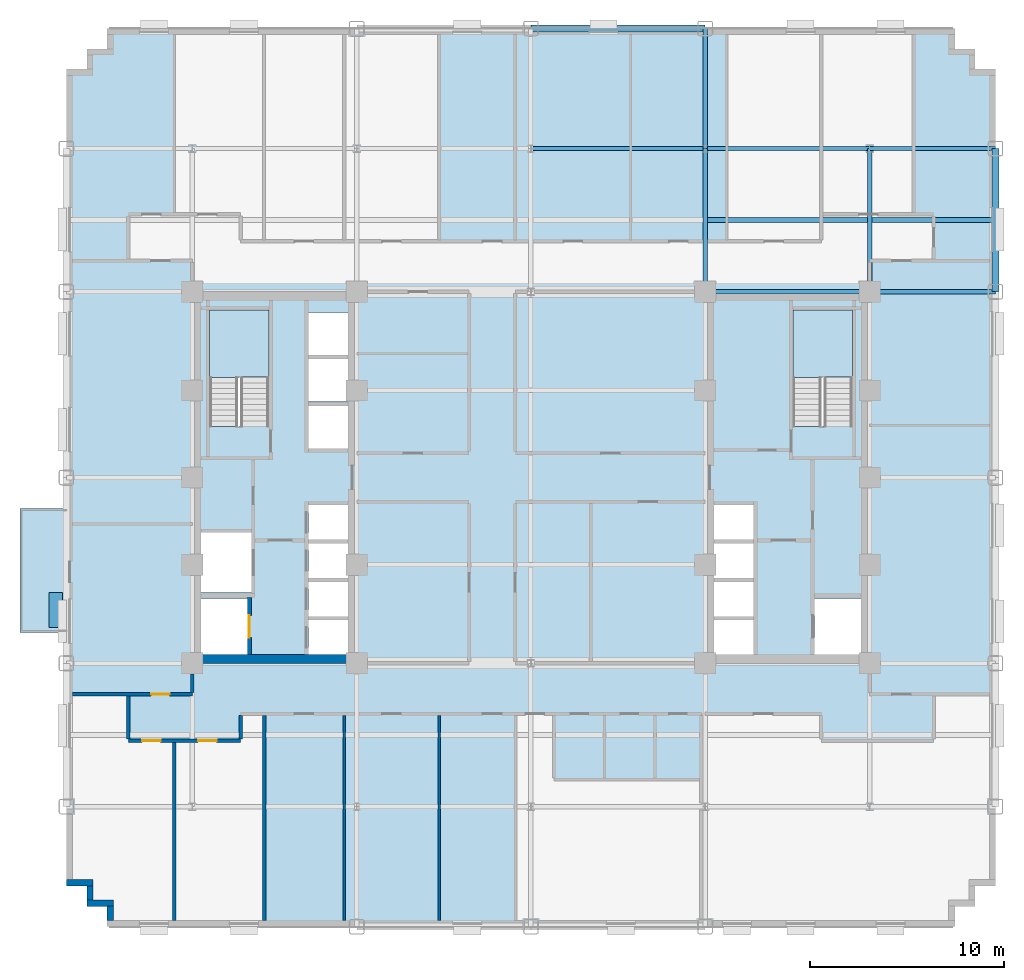
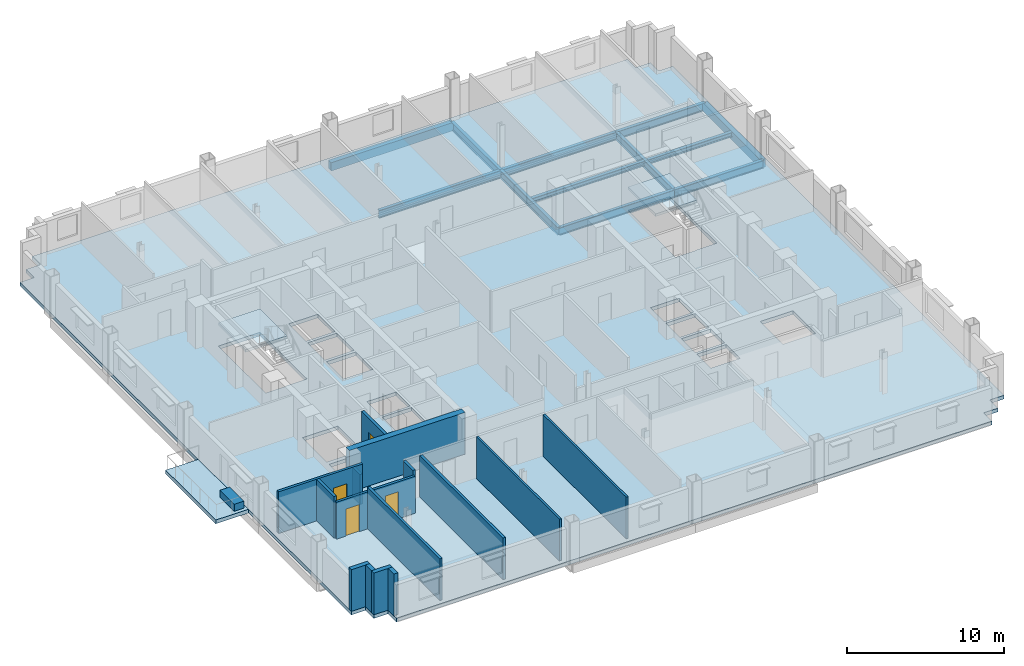
# One storey, part 5 of 14: 15 walls, 12 beams, 4 doors, 4 slabs, 1 plate, 4 openings, 2 elements without a shape of their own.
"""IFC4 building model written with IfcOpenShell, lengths in metres."""

from ifc_helpers import new_model, si_unit, direction, frame, frame_2d, origin, origin_2d, place, context, subcontext, project, spatial, polyline, rectangle, i_section, outline, extrude, source, transform, mapped, material, layer, layer_set, material_profile, profile_set, type_object, type_shapes, element, fill, aggregate, save


model = new_model("IFC4")

# Units and contexts
model_context = context("Model", 3, precision=1e-05, world=origin(), true_north=direction((0.0, 1.0)))
body_context = subcontext(model_context, "Body", "Model", "MODEL_VIEW")
ifc_project = project(units=[si_unit("LENGTHUNIT", "METRE"), si_unit("AREAUNIT", "SQUARE_METRE"), si_unit("VOLUMEUNIT", "CUBIC_METRE"), si_unit("PLANEANGLEUNIT", "RADIAN"), si_unit("MASSUNIT", "GRAM", prefix="KILO")], contexts=[model_context])

# Site, building, storey
site_placement = place(None, origin())
site = spatial("IfcSite", under=ifc_project, at=site_placement, CompositionType="ELEMENT")
building_placement = place(site_placement, origin())
building = spatial("IfcBuilding", under=site, at=building_placement, Name="Nuvemarco Arch Tower", CompositionType="ELEMENT")
storey_placement = place(building_placement, frame((0.0, 0.0, 89.64990234375)))
storey = spatial("IfcBuildingStorey", under=building, at=storey_placement, Name="L23", CompositionType="ELEMENT", Elevation=89.64990234375)

# Beams
ifc_material_1 = material(Name="Steel S355", Category="steel")
ifc_material_profile_1 = material_profile(ifc_material_1, i_section(OverallWidth=0.22998046875, OverallDepth=0.616943359375, WebThickness=0.01318359375, FlangeThickness=0.022216796875, FilletRadius=0.01611328125, at=origin_2d()), Name="W610x140")
ifc_profile_set_1 = profile_set([ifc_material_profile_1], Name="Steel S355")
beam_type_1 = type_object("IfcBeamType", Name="BM-GIRD-610", PredefinedType="BEAM", material=ifc_profile_set_1)
beam_1_placement = place(storey_placement, frame((9.0, 9.60009765625, -0.58837890625), z_axis=(0.0, 1.0, 0.0), x_axis=(-1.0, 0.0, 0.0)))
element("IfcBeam", 1, at=beam_1_placement, inside=storey, type_object=beam_type_1, Name="L23 structural beam BGNS_L23_0_+9.0_+9.6", PredefinedType="BEAM", context=body_context, shape_type="SweptSolid", body=[
    extrude(i_section(OverallWidth=0.22998046875, OverallDepth=0.616943359375, WebThickness=0.01318359375, FlangeThickness=0.022216796875, FilletRadius=0.01611328125, at=origin_2d()), origin(), (0.0, 0.0, 1.0), 7.39990234375),
])
beam_2_placement = place(storey_placement, frame((9.0, 17.0, -0.58837890625), z_axis=(0.0, 1.0, 0.0), x_axis=(-1.0, 0.0, 0.0)))
element("IfcBeam", 2, at=beam_2_placement, inside=storey, type_object=beam_type_1, Name="L23 structural beam BGNS_L23_0_+9.0_+17.0", PredefinedType="BEAM", context=body_context, shape_type="SweptSolid", body=[
    extrude(i_section(OverallWidth=0.22998046875, OverallDepth=0.616943359375, WebThickness=0.01318359375, FlangeThickness=0.022216796875, FilletRadius=0.01611328125, at=origin_2d()), origin(), (0.0, 0.0, 1.0), 6.199951171875),
])
beam_3_placement = place(storey_placement, frame((17.5, 9.60009765625, -0.58837890625), z_axis=(0.0, 1.0, 0.0), x_axis=(-1.0, 0.0, 0.0)))
element("IfcBeam", 3, at=beam_3_placement, inside=storey, type_object=beam_type_1, Name="L23 structural beam BGNS_L23_0_+17.5_+9.6", PredefinedType="BEAM", context=body_context, shape_type="SweptSolid", body=[
    extrude(i_section(OverallWidth=0.22998046875, OverallDepth=0.616943359375, WebThickness=0.01318359375, FlangeThickness=0.022216796875, FilletRadius=0.01611328125, at=origin_2d()), origin(), (0.0, 0.0, 1.0), 7.39990234375),
])
beam_4_placement = place(storey_placement, frame((9.0, 9.60009765625, -0.58837890625), z_axis=(1.0, 0.0, 0.0), x_axis=(0.0, 1.0, 0.0)))
element("IfcBeam", 4, at=beam_4_placement, inside=storey, type_object=beam_type_1, Name="L23 structural beam BGEW_L23_0_+9.6_+9.0", PredefinedType="BEAM", context=body_context, shape_type="SweptSolid", body=[
    extrude(i_section(OverallWidth=0.22998046875, OverallDepth=0.616943359375, WebThickness=0.01318359375, FlangeThickness=0.022216796875, FilletRadius=0.01611328125, at=origin_2d()), origin(), (0.0, 0.0, 1.0), 8.5),
])
beam_5_placement = place(storey_placement, frame((17.5, 9.60009765625, -0.58837890625), z_axis=(1.0, 0.0, 0.0), x_axis=(0.0, 1.0, 0.0)))
element("IfcBeam", 5, at=beam_5_placement, inside=storey, type_object=beam_type_1, Name="L23 structural beam BGEW_L23_0_+9.6_+17.5", PredefinedType="BEAM", context=body_context, shape_type="SweptSolid", body=[
    extrude(i_section(OverallWidth=0.22998046875, OverallDepth=0.616943359375, WebThickness=0.01318359375, FlangeThickness=0.022216796875, FilletRadius=0.01611328125, at=origin_2d()), origin(), (0.0, 0.0, 1.0), 6.5),
])
beam_6_placement = place(storey_placement, frame((0.0, 17.0, -0.58837890625), z_axis=(1.0, 0.0, 0.0), x_axis=(0.0, 1.0, 0.0)))
element("IfcBeam", 6, at=beam_6_placement, inside=storey, type_object=beam_type_1, Name="L23 structural beam BGEW_L23_0_+17.0_+0.0", PredefinedType="BEAM", context=body_context, shape_type="SweptSolid", body=[
    extrude(i_section(OverallWidth=0.22998046875, OverallDepth=0.616943359375, WebThickness=0.01318359375, FlangeThickness=0.022216796875, FilletRadius=0.01611328125, at=origin_2d()), origin(), (0.0, 0.0, 1.0), 9.0),
])
beam_7_placement = place(storey_placement, frame((9.0, 17.0, -0.58837890625), z_axis=(1.0, 0.0, 0.0), x_axis=(0.0, 1.0, 0.0)))
element("IfcBeam", 7, at=beam_7_placement, inside=storey, type_object=beam_type_1, Name="L23 structural beam BGEW_L23_0_+17.0_+9.0", PredefinedType="BEAM", context=body_context, shape_type="SweptSolid", body=[
    extrude(i_section(OverallWidth=0.22998046875, OverallDepth=0.616943359375, WebThickness=0.01318359375, FlangeThickness=0.022216796875, FilletRadius=0.01611328125, at=origin_2d()), origin(), (0.0, 0.0, 1.0), 8.5),
])
beam_8_placement = place(storey_placement, frame((17.5, 17.0, -0.58837890625), z_axis=(1.0, 0.0, 0.0), x_axis=(0.0, 1.0, 0.0)))
element("IfcBeam", 8, at=beam_8_placement, inside=storey, type_object=beam_type_1, Name="L23 structural beam BGEW_L23_0_+17.0_+17.5", PredefinedType="BEAM", context=body_context, shape_type="SweptSolid", body=[
    extrude(i_section(OverallWidth=0.22998046875, OverallDepth=0.616943359375, WebThickness=0.01318359375, FlangeThickness=0.022216796875, FilletRadius=0.01611328125, at=origin_2d()), origin(), (0.0, 0.0, 1.0), 6.5),
])
ifc_material_profile_2 = material_profile(ifc_material_1, i_section(OverallWidth=0.2548828125, OverallDepth=0.35693359375, WebThickness=0.010498046875, FlangeThickness=0.018310546875, FilletRadius=0.014892578125, at=origin_2d()), Name="W360x101")
ifc_profile_set_2 = profile_set([ifc_material_profile_2], Name="Steel S355")
beam_type_2 = type_object("IfcBeamType", Name="BM-JOIST-360H", PredefinedType="JOIST", material=ifc_profile_set_2)
beam_9_placement = place(storey_placement, frame((9.114990234375, 13.300048828125, -0.45849609375), z_axis=(1.0, 0.0, 0.0), x_axis=(0.0, 1.0, 0.0)))
element("IfcBeam", 9, at=beam_9_placement, inside=storey, type_object=beam_type_2, Name="L23 structural beam BJ_L23_0_+13.3_+9.0", PredefinedType="JOIST", context=body_context, shape_type="SweptSolid", body=[
    extrude(i_section(OverallWidth=0.2548828125, OverallDepth=0.35693359375, WebThickness=0.010498046875, FlangeThickness=0.018310546875, FilletRadius=0.014892578125, at=origin_2d()), origin(), (0.0, 0.0, 1.0), 8.27001953125),
])
beam_10_placement = place(storey_placement, frame((17.614990234375, 13.300048828125, -0.45849609375), z_axis=(1.0, 0.0, 0.0), x_axis=(0.0, 1.0, 0.0)))
element("IfcBeam", 10, at=beam_10_placement, inside=storey, type_object=beam_type_2, Name="L23 structural beam BJ_L23_0_+13.3_+17.5", PredefinedType="JOIST", context=body_context, shape_type="SweptSolid", body=[
    extrude(i_section(OverallWidth=0.2548828125, OverallDepth=0.35693359375, WebThickness=0.010498046875, FlangeThickness=0.018310546875, FilletRadius=0.014892578125, at=origin_2d()), origin(), (0.0, 0.0, 1.0), 6.2099609375),
])
ifc_material_2 = material(Name="Precast concrete C45/55", Category="concrete")
ifc_material_profile_3 = material_profile(ifc_material_2, rectangle(XDim=0.35009765625, YDim=0.64990234375, at=origin_2d()), Name="PC-SP-350x650")
ifc_profile_set_3 = profile_set([ifc_material_profile_3], Name="Precast concrete C45/55")
beam_type_3 = type_object("IfcBeamType", Name="BM-SPAN-RC", PredefinedType="SPANDREL", material=ifc_profile_set_3)
beam_11_placement = place(storey_placement, frame((24.0, 9.60009765625, -0.60498046875), z_axis=(0.0, 1.0, 0.0), x_axis=(-1.0, 0.0, 0.0)))
element("IfcBeam", 11, at=beam_11_placement, inside=storey, type_object=beam_type_3, Name="L23 structural beam BGNS_L23_0_+24.0_+9.6", PredefinedType="SPANDREL", context=body_context, shape_type="SweptSolid", body=[
    extrude(rectangle(XDim=0.35009765625, YDim=0.64990234375, at=origin_2d()), origin(), (0.0, 0.0, 1.0), 7.39990234375),
])
beam_12_placement = place(storey_placement, frame((0.0, 23.199951171875, -0.60498046875), z_axis=(1.0, 0.0, 0.0), x_axis=(0.0, 1.0, 0.0)))
element("IfcBeam", 12, at=beam_12_placement, inside=storey, type_object=beam_type_3, Name="L23 structural beam BGEW_L23_0_+23.2_+0.0", PredefinedType="SPANDREL", context=body_context, shape_type="SweptSolid", body=[
    extrude(rectangle(XDim=0.35009765625, YDim=0.64990234375, at=origin_2d()), origin(), (0.0, 0.0, 1.0), 9.0),
])

# Slab
ifc_material_3 = material(Name="Concrete C50/60", Category="concrete")
ifc_layer_1 = layer(ifc_material_3, 0.280029296875, Name="SL-FLR-280")
ifc_layer_set_1 = layer_set([ifc_layer_1], Name="Concrete C50/60")
slab_type_1 = type_object("IfcSlabType", Name="SL-FLR-280", PredefinedType="FLOOR", material=ifc_layer_set_1)
slab_1_placement = place(storey_placement, frame((0.0, 0.0, -0.27978515625)))
element("IfcSlab", 13, at=slab_1_placement, inside=storey, type_object=slab_type_1, Name="L23 structural floor slab", PredefinedType="FLOOR", context=body_context, shape_type="SweptSolid", body=[
    extrude(outline(polyline([(-21.89990234375, -23.199951171875), (21.89990234375, -23.199951171875), (21.89990234375, -22.14990234375), (22.949951171875, -22.14990234375), (22.949951171875, -21.10009765625), (24.0, -21.10009765625), (24.0, 21.10009765625), (22.949951171875, 21.10009765625), (22.949951171875, 22.14990234375), (21.89990234375, 22.14990234375), (21.89990234375, 23.199951171875), (-21.89990234375, 23.199951171875), (-21.89990234375, 22.14990234375), (-22.949951171875, 22.14990234375), (-22.949951171875, 21.10009765625), (-24.0, 21.10009765625), (-24.0, -21.10009765625), (-22.949951171875, -21.10009765625), (-22.949951171875, -22.14990234375), (-21.89990234375, -22.14990234375), (-21.89990234375, -23.199951171875)]), holes=[polyline([(-13.5400390625, 2.669921875), (-13.5400390625, 8.64990234375), (-16.60009765625, 8.64990234375), (-16.60009765625, 2.630615234375), (-15.070068359375, 2.630615234375), (-15.070068359375, 2.669921875), (-13.5400390625, 2.669921875)]), polyline([(16.60009765625, 2.669921875), (16.60009765625, 8.64990234375), (13.5400390625, 8.64990234375), (13.5400390625, 2.630615234375), (15.070068359375, 2.630615234375), (15.070068359375, 2.669921875), (16.60009765625, 2.669921875)]), polyline([(-17.050048828125, -9.14990234375), (-14.64990234375, -9.14990234375), (-14.64990234375, -6.25), (-17.050048828125, -6.25), (-17.050048828125, -9.14990234375)]), polyline([(-17.050048828125, -5.949951171875), (-14.449951171875, -5.949951171875), (-14.449951171875, -2.85009765625), (-17.050048828125, -2.85009765625), (-17.050048828125, -5.949951171875)]), polyline([(-11.5, -9.14990234375), (-9.35009765625, -9.14990234375), (-9.35009765625, -7.3701171875), (-11.5, -7.3701171875), (-11.5, -9.14990234375)]), polyline([(-11.5, -7.169921875), (-9.35009765625, -7.169921875), (-9.35009765625, -5.389892578125), (-11.5, -5.389892578125), (-11.5, -7.169921875)]), polyline([(-11.5, -5.18994140625), (-9.35009765625, -5.18994140625), (-9.35009765625, -3.409912109375), (-11.5, -3.409912109375), (-11.5, -5.18994140625)]), polyline([(-11.5, -3.2099609375), (-9.35009765625, -3.2099609375), (-9.35009765625, -1.429931640625), (-11.5, -1.429931640625), (-11.5, -3.2099609375)]), polyline([(-11.5, 1.5), (-9.35009765625, 1.5), (-9.35009765625, 3.699951171875), (-11.5, 3.699951171875), (-11.5, 1.5)]), polyline([(-11.5, 3.919921875), (-9.35009765625, 3.919921875), (-9.35009765625, 6.1201171875), (-11.5, 6.1201171875), (-11.5, 3.919921875)]), polyline([(-11.5, 6.340087890625), (-9.35009765625, 6.340087890625), (-9.35009765625, 8.5400390625), (-11.5, 8.5400390625), (-11.5, 6.340087890625)]), polyline([(14.64990234375, -9.14990234375), (17.050048828125, -9.14990234375), (17.050048828125, -6.25), (14.64990234375, -6.25), (14.64990234375, -9.14990234375)]), polyline([(9.35009765625, -9.14990234375), (11.5, -9.14990234375), (11.5, -7.3701171875), (9.35009765625, -7.3701171875), (9.35009765625, -9.14990234375)]), polyline([(9.35009765625, -7.169921875), (11.5, -7.169921875), (11.5, -5.389892578125), (9.35009765625, -5.389892578125), (9.35009765625, -7.169921875)]), polyline([(9.35009765625, -5.18994140625), (11.5, -5.18994140625), (11.5, -3.409912109375), (9.35009765625, -3.409912109375), (9.35009765625, -5.18994140625)]), polyline([(9.35009765625, -3.2099609375), (11.5, -3.2099609375), (11.5, -1.429931640625), (9.35009765625, -1.429931640625), (9.35009765625, -3.2099609375)])]), origin(), (0.0, 0.0, 1.0), 0.27978515625),
])

# Stair, slab
stair_type = type_object("IfcStairType", Name="ST-CORE-20R", PredefinedType="HALF_TURN_STAIR", material=ifc_material_2)
stair_1_placement = place(storey_placement, origin())
stair_1 = element("IfcStair", 14, at=stair_1_placement, inside=storey, type_object=stair_type, Name="L23 Protected Exit Stair ST-1", PredefinedType="HALF_TURN_STAIR")
ifc_layer_2 = layer(ifc_material_2, 0.199951171875, Name="SL-LANDING-200")
ifc_layer_set_2 = layer_set([ifc_layer_2], Name="Precast concrete C45/55")
slab_type_2 = type_object("IfcSlabType", Name="SL-LANDING-200", PredefinedType="LANDING", material=ifc_layer_set_2)
slab_2_placement = place(storey_placement, frame((0.0, 0.0, 1.625)))
slab_2 = element("IfcSlab", 15, at=slab_2_placement, type_object=slab_type_2, Name="ST-20R landing 1", PredefinedType="LANDING", context=body_context, shape_type="SweptSolid", body=[
    extrude(outline(polyline([(-13.5400390625, 5.189453125), (-13.5400390625, 8.64990234375), (-16.60009765625, 8.64990234375), (-16.60009765625, 5.169921875), (-15.070068359375, 5.169921875), (-15.070068359375, 5.189453125), (-13.5400390625, 5.189453125)])), origin(), (0.0, 0.0, 1.0), 0.2001953125),
])
aggregate(stair_1, [slab_2])

stair_2_placement = place(storey_placement, origin())
stair_2 = element("IfcStair", 16, at=stair_2_placement, inside=storey, type_object=stair_type, Name="L23 Protected Exit Stair ST-2", PredefinedType="HALF_TURN_STAIR")
slab_3_placement = place(storey_placement, frame((0.0, 0.0, 1.625)))
slab_3 = element("IfcSlab", 17, at=slab_3_placement, type_object=slab_type_2, Name="ST-20R landing 1", PredefinedType="LANDING", context=body_context, shape_type="SweptSolid", body=[
    extrude(outline(polyline([(16.60009765625, 5.189453125), (16.60009765625, 8.64990234375), (13.5400390625, 8.64990234375), (13.5400390625, 5.169921875), (15.070068359375, 5.169921875), (15.070068359375, 5.189453125), (16.60009765625, 5.189453125)])), origin(), (0.0, 0.0, 1.0), 0.2001953125),
])
aggregate(stair_2, [slab_3])

# Slab
ifc_layer_3 = layer(ifc_material_3, 0.294921875, Name="SL-TR4")
ifc_layer_set_3 = layer_set([ifc_layer_3], Name="Concrete C50/60")
slab_type_3 = type_object("IfcSlabType", Name="SL-TR4", PredefinedType="FLOOR", material=ifc_layer_set_3)
slab_4_placement = place(storey_placement, frame((0.0, 0.0, -0.294921875)))
element("IfcSlab", 18, at=slab_4_placement, inside=storey, type_object=slab_type_3, Name="L23 outdoor spiral terrace slab 1", PredefinedType="FLOOR", context=body_context, shape_type="SweptSolid", body=[
    extrude(outline(polyline([(-26.39990234375, -8.0), (-24.0, -8.0), (-24.0, -1.60009765625), (-26.39990234375, -1.60009765625), (-26.39990234375, -8.0)])), origin(), (0.0, 0.0, 1.0), 0.294921875),
])

# Plate
ifc_layer_4 = layer(ifc_material_2, 0.550048828125, Name="Tree Balcony Structural Planter")
ifc_layer_set_4 = layer_set([ifc_layer_4], Name="Precast concrete C45/55")
plate_type = type_object("IfcPlateType", Name="Tree Balcony Structural Planter", PredefinedType="USERDEFINED", material=ifc_layer_set_4)
shared_shape_1 = source(origin(), body_context, "Body", "SweptSolid", [
    extrude(rectangle(XDim=1.800048828125, YDim=0.699951171875, at=origin_2d()), origin(), (0.0, 0.0, 1.0), 0.550048828125),
])
type_shapes(plate_type, [shared_shape_1])
plate_placement = place(storey_placement, frame((-24.550048828125, -6.85009765625, 0.0), z_axis=(0.0, 0.0, 1.0), x_axis=(0.0, 1.0, 0.0)))
element("IfcPlate", 19, at=plate_placement, inside=storey, type_object=plate_type, Name="L23 Tree Balcony Structural Planter", ObjectType="PLANTER", PredefinedType="USERDEFINED", context=body_context, shape_type="MappedRepresentation", body=[
    mapped(shared_shape_1, transform((0.0, 0.0, 0.0), scale=1.0)),
])

# Walls
ifc_layer_5 = layer(ifc_material_2, 0.320068359375, Name="EW-MID-320")
ifc_layer_set_5 = layer_set([ifc_layer_5], Name="Precast concrete C45/55")
wall_type_1 = type_object("IfcWallType", Name="EW-MID-320", PredefinedType="STANDARD", material=ifc_layer_set_5)
wall_1_placement = place(storey_placement, frame((-24.0, -20.93994140625, 0.0), z_axis=(0.0, 0.0, 1.0), x_axis=(1.0, 0.0, 0.0)))
element("IfcWall", 20, at=wall_1_placement, inside=storey, type_object=wall_type_1, Name="L23 exterior precast facade wall 17", PredefinedType="STANDARD", context=body_context, shape_type="SweptSolid", body=[
    extrude(rectangle(XDim=1.3701171875, YDim=0.320068359375, at=frame_2d((0.68505859375, 0.0))), origin(), (0.0, 0.0, 1.0), 3.239990234375),
])
wall_2_placement = place(storey_placement, frame((-22.7900390625, -21.833984375, 0.0), z_axis=(0.0, 0.0, 1.0), x_axis=(0.0, 1.0, 0.0)))
element("IfcWall", 21, at=wall_2_placement, inside=storey, type_object=wall_type_1, Name="L23 exterior precast facade wall 18", PredefinedType="STANDARD", context=body_context, shape_type="SweptSolid", body=[
    extrude(rectangle(XDim=0.738037109375, YDim=0.320068359375, at=frame_2d((0.369140625, 0.0))), origin(), (0.0, 0.0, 1.0), 3.239990234375),
])
wall_3_placement = place(storey_placement, frame((-22.949951171875, -21.989990234375, 0.0), z_axis=(0.0, 0.0, 1.0), x_axis=(1.0, 0.0, 0.0)))
element("IfcWall", 22, at=wall_3_placement, inside=storey, type_object=wall_type_1, Name="L23 exterior precast facade wall 19", PredefinedType="STANDARD", context=body_context, shape_type="SweptSolid", body=[
    extrude(rectangle(XDim=1.369873046875, YDim=0.320068359375, at=frame_2d((0.68505859375, 0.0))), origin(), (0.0, 0.0, 1.0), 3.239990234375),
])
wall_4_placement = place(storey_placement, frame((-21.739990234375, -22.884033203125, 0.0), z_axis=(0.0, 0.0, 1.0), x_axis=(0.0, 1.0, 0.0)))
element("IfcWall", 23, at=wall_4_placement, inside=storey, type_object=wall_type_1, Name="L23 exterior precast facade wall 20", PredefinedType="STANDARD", context=body_context, shape_type="SweptSolid", body=[
    extrude(rectangle(XDim=0.738037109375, YDim=0.320068359375, at=frame_2d((0.369140625, 0.0))), origin(), (0.0, 0.0, 1.0), 3.239990234375),
])
ifc_material_4 = material(Name="Concrete C60/75", Category="concrete")
ifc_layer_6 = layer(ifc_material_4, 0.449951171875, Name="WL-CORE-450")
ifc_layer_set_6 = layer_set([ifc_layer_6], Name="Concrete C60/75")
wall_type_2 = type_object("IfcWallType", Name="WL-CORE-450", PredefinedType="SHEAR", material=ifc_layer_set_6)
wall_5_placement = place(storey_placement, frame((-17.5, -9.375, 0.0), z_axis=(0.0, 0.0, 1.0), x_axis=(1.0, 0.0, 0.0)))
element("IfcWall", 24, at=wall_5_placement, inside=storey, type_object=wall_type_2, Name="L23 W-core shear wall S", PredefinedType="SHEAR", context=body_context, shape_type="SweptSolid", body=[
    extrude(rectangle(XDim=8.5, YDim=0.449951171875, at=frame_2d((4.25, 0.0))), origin(), (0.0, 0.0, 1.0), 3.25),
])

# Wall, openings, doors
ifc_material_5 = material(Name="Fire-rated gypsum drywall partition")
ifc_layer_7 = layer(ifc_material_5, 0.179931640625, Name="WL-CORR-180")
ifc_layer_set_7 = layer_set([ifc_layer_7], Name="Fire-rated gypsum drywall partition")
wall_type_3 = type_object("IfcWallType", Name="WL-CORR-180", PredefinedType="PARTITIONING", material=ifc_layer_set_7)
wall_6_placement = place(storey_placement, frame((-20.800048828125, -13.60009765625, 0.0), z_axis=(0.0, 0.0, 1.0), x_axis=(1.0, 0.0, 0.0)))
wall_6 = element("IfcWall", 25, at=wall_6_placement, inside=storey, type_object=wall_type_3, Name="L23 interior wall IW-L23-002", PredefinedType="PARTITIONING", context=body_context, shape_type="SweptSolid", body=[
    extrude(rectangle(XDim=5.800048828125, YDim=0.179931640625, at=frame_2d((2.89990234375, 0.0))), origin(), (0.0, 0.0, 1.0), 2.878173828125),
])
opening_1_placement = place(wall_6_placement, frame((3.60498046875, 0.0, 0.0)))
opening_1 = element("IfcOpeningElement", 26, at=opening_1_placement, cuts=wall_6, Name="Opening FD-5", PredefinedType="OPENING", context=body_context, shape_type="SweptSolid", body=[
    extrude(rectangle(XDim=0.9599609375, YDim=2.10009765625, at=frame_2d((0.47998046875, 1.050048828125))), frame((0.0, 0.099853515625, 0.0), z_axis=(0.0, -1.0, 0.0), x_axis=(1.0, 0.0, 0.0)), (0.0, 0.0, 1.0), 0.199951171875),
])
opening_2_placement = place(wall_6_placement, frame((0.705078125, 0.0, 0.0)))
opening_2 = element("IfcOpeningElement", 27, at=opening_2_placement, cuts=wall_6, Name="Opening FD-5", PredefinedType="OPENING", context=body_context, shape_type="SweptSolid", body=[
    extrude(rectangle(XDim=0.9599609375, YDim=2.10009765625, at=frame_2d((0.47998046875, 1.050048828125))), frame((0.0, 0.099853515625, 0.0), z_axis=(0.0, -1.0, 0.0), x_axis=(1.0, 0.0, 0.0)), (0.0, 0.0, 1.0), 0.199951171875),
])
ifc_material_6 = material(Name="Timber fire door", Category="wood")
door_type_1 = type_object("IfcDoorType", Name="DR-CORR-FD", OperationType="NOTDEFINED", PredefinedType="DOOR", material=ifc_material_6)
shared_shape_2 = source(origin(), body_context, "Body", "SweptSolid", [
    extrude(rectangle(XDim=0.9599609375, YDim=2.10009765625, at=frame_2d((0.47998046875, 1.050048828125))), frame((0.0, 0.02490234375, 0.0), z_axis=(0.0, -1.0, 0.0), x_axis=(1.0, 0.0, 0.0)), (0.0, 0.0, 1.0), 0.050048828125),
])
type_shapes(door_type_1, [shared_shape_2])
door_1_placement = place(opening_1_placement, origin())
door_1 = element("IfcDoor", 28, at=door_1_placement, inside=storey, type_object=door_type_1, Name="L23 door DR-L23-S_2", OperationType="SINGLE_SWING_RIGHT", OverallHeight=2.10009765625, OverallWidth=0.9599609375, PredefinedType="DOOR", context=body_context, shape_type="MappedRepresentation", body=[
    mapped(shared_shape_2, transform((0.0, 0.0, 0.0), scale=1.0)),
])
fill(opening_1, door_1)
door_2_placement = place(opening_2_placement, origin())
door_2 = element("IfcDoor", 29, at=door_2_placement, inside=storey, type_object=door_type_1, Name="L23 door DR-L23-S_1", OperationType="SINGLE_SWING_LEFT", OverallHeight=2.10009765625, OverallWidth=0.9599609375, PredefinedType="DOOR", context=body_context, shape_type="MappedRepresentation", body=[
    mapped(shared_shape_2, transform((0.0, 0.0, 0.0), scale=1.0)),
])
fill(opening_2, door_2)

# Wall, opening, door
wall_7_placement = place(storey_placement, frame((-23.679931640625, -11.199951171875, 0.0), z_axis=(0.0, 0.0, 1.0), x_axis=(1.0, 0.0, 0.0)))
wall_7 = element("IfcWall", 30, at=wall_7_placement, inside=storey, type_object=wall_type_3, Name="L23 interior wall IW-L23-006", PredefinedType="PARTITIONING", context=body_context, shape_type="SweptSolid", body=[
    extrude(rectangle(XDim=6.179931640625, YDim=0.179931640625, at=frame_2d((3.08984375, 0.0))), origin(), (0.0, 0.0, 1.0), 3.239990234375),
])
opening_3_placement = place(wall_7_placement, frame((4.050048828125, 0.0, 0.0)))
opening_3 = element("IfcOpeningElement", 31, at=opening_3_placement, cuts=wall_7, Name="Opening FD-5", PredefinedType="OPENING", context=body_context, shape_type="SweptSolid", body=[
    extrude(rectangle(XDim=0.9599609375, YDim=2.10009765625, at=frame_2d((0.47998046875, 1.050048828125))), frame((0.0, 0.099853515625, 0.0), z_axis=(0.0, -1.0, 0.0), x_axis=(1.0, 0.0, 0.0)), (0.0, 0.0, 1.0), 0.199951171875),
])
door_3_placement = place(opening_3_placement, origin())
door_3 = element("IfcDoor", 32, at=door_3_placement, inside=storey, type_object=door_type_1, Name="L23 door DR-L23-W_1", OperationType="SINGLE_SWING_LEFT", OverallHeight=2.10009765625, OverallWidth=0.9599609375, PredefinedType="DOOR", context=body_context, shape_type="MappedRepresentation", body=[
    mapped(shared_shape_2, transform((0.0, 0.0, 0.0), scale=1.0)),
])
fill(opening_3, door_3)

# Walls
wall_8_placement = place(storey_placement, frame((-20.800048828125, -13.513916015625, 0.0), z_axis=(0.0, 0.0, 1.0), x_axis=(0.0, 1.0, 0.0)))
element("IfcWall", 33, at=wall_8_placement, inside=storey, type_object=wall_type_3, Name="L23 interior wall IW-L23-026", PredefinedType="PARTITIONING", context=body_context, shape_type="SweptSolid", body=[
    extrude(rectangle(XDim=2.22802734375, YDim=0.179931640625, at=frame_2d((1.114013671875, 0.0))), origin(), (0.0, 0.0, 1.0), 3.239990234375),
])
wall_9_placement = place(storey_placement, frame((-18.429931640625, -22.8798828125, 0.0), z_axis=(0.0, 0.0, 1.0), x_axis=(0.0, 1.0, 0.0)))
element("IfcWall", 34, at=wall_9_placement, inside=storey, type_object=wall_type_3, Name="L23 interior wall IW-L23-028", PredefinedType="PARTITIONING", context=body_context, shape_type="SweptSolid", body=[
    extrude(rectangle(XDim=9.19384765625, YDim=0.179931640625, at=frame_2d((4.596923828125, 0.0))), origin(), (0.0, 0.0, 1.0), 3.239990234375),
])
wall_10_placement = place(storey_placement, frame((-17.5, -11.114013671875, 0.0), z_axis=(0.0, 0.0, 1.0), x_axis=(0.0, 1.0, 0.0)))
element("IfcWall", 35, at=wall_10_placement, inside=storey, type_object=wall_type_3, Name="L23 interior wall IW-L23-030", PredefinedType="PARTITIONING", context=body_context, shape_type="SweptSolid", body=[
    extrude(rectangle(XDim=0.968017578125, YDim=0.179931640625, at=frame_2d((0.48388671875, 0.0))), origin(), (0.0, 0.0, 1.0), 2.335205078125),
])
wall_11_placement = place(storey_placement, frame((-15.0, -13.513916015625, 0.0), z_axis=(0.0, 0.0, 1.0), x_axis=(0.0, 1.0, 0.0)))
element("IfcWall", 36, at=wall_11_placement, inside=storey, type_object=wall_type_3, Name="L23 interior wall IW-L23-032", PredefinedType="PARTITIONING", context=body_context, shape_type="SweptSolid", body=[
    extrude(rectangle(XDim=1.22802734375, YDim=0.179931640625, at=frame_2d((0.614013671875, 0.0))), origin(), (0.0, 0.0, 1.0), 3.239990234375),
])
wall_12_placement = place(storey_placement, frame((-13.7900390625, -22.8798828125, 0.0), z_axis=(0.0, 0.0, 1.0), x_axis=(0.0, 1.0, 0.0)))
element("IfcWall", 37, at=wall_12_placement, inside=storey, type_object=wall_type_3, Name="L23 interior wall IW-L23-034", PredefinedType="PARTITIONING", context=body_context, shape_type="SweptSolid", body=[
    extrude(rectangle(XDim=10.593994140625, YDim=0.179931640625, at=frame_2d((5.296875, 0.0))), origin(), (0.0, 0.0, 1.0), 3.239990234375),
])
ifc_material_7 = material(Name="Gypsum plasterboard partition")
ifc_layer_8 = layer(ifc_material_7, 0.139892578125, Name="WL-ROOM-140")
ifc_layer_set_8 = layer_set([ifc_layer_8], Name="Gypsum plasterboard partition")
wall_type_4 = type_object("IfcWallType", Name="WL-ROOM-140", PredefinedType="PARTITIONING", material=ifc_layer_set_8)
for number, where, z_axis, x_axis, name in (
    (38, (-9.64990234375, -22.8798828125, 0.0), (0.0, 0.0, 1.0), (0.0, 1.0, 0.0), "L23 interior wall IW-L23-036"),
    (39, (-4.739990234375, -22.8798828125, 0.0), (0.0, 0.0, 1.0), (0.0, 1.0, 0.0), "L23 interior wall IW-L23-038"),
):
    element("IfcWall", number, at=place(storey_placement, frame(where, z_axis=z_axis, x_axis=x_axis)), inside=storey, type_object=wall_type_4, Name=name, PredefinedType="PARTITIONING", context=body_context, shape_type="SweptSolid", body=[
        extrude(rectangle(XDim=10.593994140625, YDim=0.139892578125, at=frame_2d((5.296875, 0.0))), origin(), (0.0, 0.0, 1.0), 3.239990234375),
    ])

# Wall, opening, door
ifc_layer_9 = layer(ifc_material_3, 0.199951171875, Name="WL-SHAFT-220")
ifc_layer_set_9 = layer_set([ifc_layer_9], Name="Concrete C50/60")
wall_type_5 = type_object("IfcWallType", Name="WL-SHAFT-220", PredefinedType="SHEAR", material=ifc_layer_set_9)
wall_13_placement = place(storey_placement, frame((-14.550048828125, -9.155029296875, 0.0), z_axis=(0.0, 0.0, 1.0), x_axis=(0.0, 1.0, 0.0)))
wall_13 = element("IfcWall", 40, at=wall_13_placement, inside=storey, type_object=wall_type_5, Name="L23 structural shaft wall SW-L23-W-SHE", PredefinedType="SHEAR", context=body_context, shape_type="SweptSolid", body=[
    extrude(rectangle(XDim=2.9599609375, YDim=0.199951171875, at=frame_2d((1.47998046875, 0.0))), origin(), (0.0, 0.0, 1.0), 3.25),
])
opening_4_placement = place(wall_13_placement, frame((0.8798828125, 0.0, 0.0)))
opening_4 = element("IfcOpeningElement", 41, at=opening_4_placement, cuts=wall_13, Name="Opening LD-2", PredefinedType="OPENING", context=body_context, shape_type="SweptSolid", body=[
    extrude(rectangle(XDim=1.14990234375, YDim=2.14990234375, at=frame_2d((0.574951171875, 1.074951171875))), frame((0.0, 0.10986328125, 0.0), z_axis=(0.0, -1.0, 0.0), x_axis=(1.0, 0.0, 0.0)), (0.0, 0.0, 1.0), 0.219970703125),
])
ifc_material_8 = material(Name="Stainless steel lift door", Category="steel")
door_type_2 = type_object("IfcDoorType", Name="DR-LIFT-FIRE", OperationType="DOUBLE_DOOR_SLIDING", PredefinedType="DOOR", material=ifc_material_8)
shared_shape_3 = source(origin(), body_context, "Body", "SweptSolid", [
    extrude(rectangle(XDim=1.14990234375, YDim=2.14990234375, at=frame_2d((0.574951171875, 1.074951171875))), frame((0.0, 0.02490234375, 0.0), z_axis=(0.0, -1.0, 0.0), x_axis=(1.0, 0.0, 0.0)), (0.0, 0.0, 1.0), 0.050048828125),
])
type_shapes(door_type_2, [shared_shape_3])
door_4_placement = place(opening_4_placement, origin())
door_4 = element("IfcDoor", 42, at=door_4_placement, inside=storey, type_object=door_type_2, Name="L23 Lift landing sliding door FFL-1", OperationType="DOUBLE_DOOR_SLIDING", OverallHeight=2.14990234375, OverallWidth=1.14990234375, PredefinedType="DOOR", context=body_context, shape_type="MappedRepresentation", body=[
    mapped(shared_shape_3, transform((0.0, 0.0, 0.0), scale=1.0)),
])
fill(opening_4, door_4)

save(model, "model.ifc")
